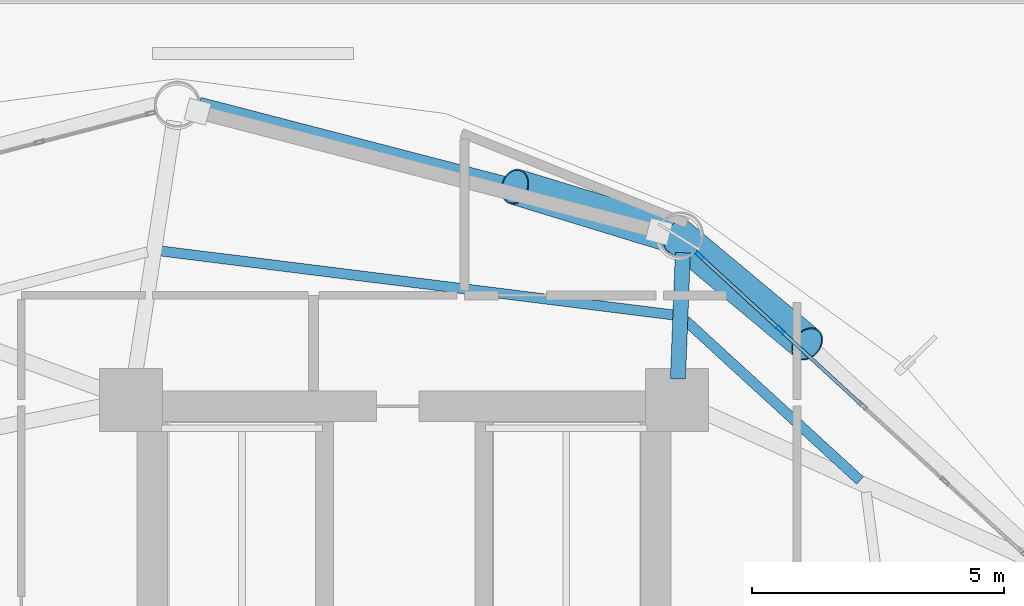
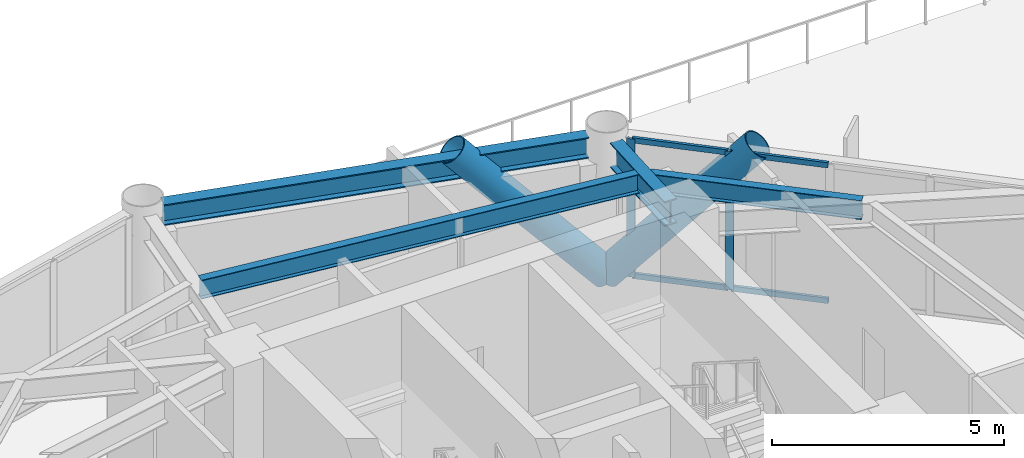
# One storey, part 17 of 24: 8 members, 4 beams, 1 element without a shape of its own.
"""IFC4 building model written with IfcOpenShell, lengths in metres."""

from ifc_helpers import new_model, si_unit, direction, frame, origin, origin_2d, place, context, subcontext, project, spatial, hollow_rectangle, hollow_circle, i_section, extrude, material, layer, layer_set, material_profile, profile_set, type_object, element, aggregate, save


model = new_model("IFC4")

# Units and contexts
model_context = context("Model", 3, precision=1e-05, world=origin(), true_north=direction((0.0, 1.0)))
body_context = subcontext(model_context, "Body", "Model", "MODEL_VIEW")
ifc_project = project(units=[si_unit("LENGTHUNIT", "METRE"), si_unit("AREAUNIT", "SQUARE_METRE"), si_unit("VOLUMEUNIT", "CUBIC_METRE"), si_unit("PLANEANGLEUNIT", "RADIAN"), si_unit("MASSUNIT", "GRAM", prefix="KILO")], contexts=[model_context])

# Site, building, storey
site_placement = place(None, origin())
site = spatial("IfcSite", under=ifc_project, at=site_placement, CompositionType="ELEMENT")
building_placement = place(site_placement, origin())
building = spatial("IfcBuilding", under=site, at=building_placement, Name="Varnakorn Sky Granary", CompositionType="ELEMENT")
storey_placement = place(building_placement, frame((0.0, 0.0, 27.60009765625)))
storey = spatial("IfcBuildingStorey", under=building, at=storey_placement, Name="L06", CompositionType="ELEMENT", Elevation=27.60009765625)

# Beams
ifc_material_1 = material(Name="Steel S355JR", Category="steel")
ifc_material_profile_1 = material_profile(ifc_material_1, i_section(OverallWidth=0.300048828125, OverallDepth=0.64990234375, WebThickness=0.01611328125, FlangeThickness=0.031005859375, at=origin_2d()), Name="HE 650 B")
ifc_profile_set_1 = profile_set([ifc_material_profile_1], Name="Steel S355JR")
beam_type_1 = type_object("IfcBeamType", Name="BM-RAD-Z1", PredefinedType="BEAM", material=ifc_profile_set_1)
beam_1_placement = place(storey_placement, frame((8.436279296875, 13.039794921875, 3.31494140625), z_axis=(0.039035009768, 0.999237843565, 0.0), x_axis=(-0.999237843565, 0.039035009768, 0.0)))
element("IfcBeam", 1, at=beam_1_placement, inside=storey, type_object=beam_type_1, Name="Radial Floor Girder RG03 L06", PredefinedType="BEAM", context=body_context, shape_type="SweptSolid", body=[
    extrude(i_section(OverallWidth=0.300048828125, OverallDepth=0.64990234375, WebThickness=0.01611328125, FlangeThickness=0.031005859375, at=origin_2d()), origin(), (0.0, 0.0, 1.0), 2.508056640625),
])
ifc_material_profile_2 = material_profile(ifc_material_1, i_section(OverallWidth=0.199951171875, OverallDepth=0.5, WebThickness=0.01025390625, FlangeThickness=0.01611328125, at=origin_2d()), Name="IPE 500")
ifc_profile_set_2 = profile_set([ifc_material_profile_2], Name="Steel S355JR")
beam_type_2 = type_object("IfcBeamType", Name="BM-SEC-Z1", PredefinedType="BEAM", material=ifc_profile_set_2)
beam_2_placement = place(storey_placement, frame((12.051513671875, 11.0244140625, 3.389892578125), z_axis=(-0.737205916379, 0.675668141069, 0.0), x_axis=(-0.675668141069, -0.737205916379, 0.0)))
element("IfcBeam", 2, at=beam_2_placement, inside=storey, type_object=beam_type_2, Name="Secondary Floor Chord Beam MSB02 L06", PredefinedType="BEAM", context=body_context, shape_type="SweptSolid", body=[
    extrude(i_section(OverallWidth=0.199951171875, OverallDepth=0.5, WebThickness=0.01025390625, FlangeThickness=0.01611328125, at=origin_2d()), origin(), (0.0, 0.0, 1.0), 4.697265625),
])
beam_3_placement = place(storey_placement, frame((8.346435546875, 14.310302734375, 3.389892578125), z_axis=(-0.992297289411, 0.12387933414, 0.0), x_axis=(-0.12387933414, -0.992297289411, 0.0)))
element("IfcBeam", 3, at=beam_3_placement, inside=storey, type_object=beam_type_2, Name="Secondary Floor Chord Beam MSB03 L06", PredefinedType="BEAM", context=body_context, shape_type="SweptSolid", body=[
    extrude(i_section(OverallWidth=0.199951171875, OverallDepth=0.5, WebThickness=0.01025390625, FlangeThickness=0.01611328125, at=origin_2d()), origin(), (0.0, 0.0, 1.0), 10.248046875),
])
ifc_material_profile_3 = material_profile(ifc_material_1, i_section(OverallWidth=0.300048828125, OverallDepth=0.550048828125, WebThickness=0.014892578125, FlangeThickness=0.029052734375, at=origin_2d()), Name="HE 550 B")
ifc_profile_set_3 = profile_set([ifc_material_profile_3], Name="Steel S355JR")
beam_type_3 = type_object("IfcBeamType", Name="BM-SPD-Z1", PredefinedType="SPANDREL", material=ifc_profile_set_3)
beam_4_placement = place(storey_placement, frame((8.123779296875, 16.0986328125, 3.364990234375), z_axis=(-0.967937681729, 0.251190454215, 0.0), x_axis=(-0.251190454215, -0.967937681729, 0.0)))
element("IfcBeam", 4, at=beam_4_placement, inside=storey, type_object=beam_type_3, Name="Perimeter Spandrel Ring Beam RB03 L06", PredefinedType="SPANDREL", context=body_context, shape_type="SweptSolid", body=[
    extrude(i_section(OverallWidth=0.300048828125, OverallDepth=0.550048828125, WebThickness=0.014892578125, FlangeThickness=0.029052734375, at=origin_2d()), origin(), (0.0, 0.0, 1.0), 9.500732421875),
])

# Curtain wall, members
ifc_material_2 = material(Name="Anodised Bronze Aluminium Alloy 6063-T6", Category="aluminium")
ifc_layer = layer(ifc_material_2, 0.18994140625, Name="Anodised Bronze Aluminium Alloy 6063-T6")
ifc_layer_set = layer_set([ifc_layer], Name="Anodised Bronze Aluminium Alloy 6063-T6")
curtain_wall_type = type_object("IfcCurtainWallType", Name="CW-FRM-1", PredefinedType="USERDEFINED", material=ifc_layer_set)
curtain_wall_placement = place(storey_placement, origin())
curtain_wall = element("IfcCurtainWall", 5, at=curtain_wall_placement, inside=storey, type_object=curtain_wall_type, Name="Unitised Curtain Wall CW3 CW-L06-B02", ObjectType="CURTAIN WALL", PredefinedType="USERDEFINED")
ifc_material_profile_4 = material_profile(ifc_material_2, hollow_rectangle(XDim=0.070068359375, YDim=0.18505859375, WallThickness=0.00390625, at=origin_2d()), Name="ALU MULL 70x185")
ifc_profile_set_4 = profile_set([ifc_material_profile_4], Name="Anodised Bronze Aluminium Alloy 6063-T6")
member_type_1 = type_object("IfcMemberType", Name="CW-FRM-1-MULL", PredefinedType="MULLION", material=ifc_profile_set_4)
member_1_placement = place(storey_placement, frame((8.86376953125, 15.487548828125, 0.0), z_axis=(0.0, 0.0, 1.0), x_axis=(0.676914362354, 0.7360617814, 0.0)))
member_1 = element("IfcMember", 6, at=member_1_placement, type_object=member_type_1, Name="CW3 mullion 1", PredefinedType="MULLION", context=body_context, shape_type="SweptSolid", body=[
    extrude(hollow_rectangle(XDim=0.070068359375, YDim=0.18505859375, WallThickness=0.00390625, at=origin_2d()), origin(), (0.0, 0.0, 1.0), 3.639892578125),
])
member_2_placement = place(storey_placement, frame((10.47021484375, 14.01025390625, 0.0), z_axis=(0.0, 0.0, 1.0), x_axis=(0.676914362354, 0.7360617814, 0.0)))
member_2 = element("IfcMember", 7, at=member_2_placement, type_object=member_type_1, Name="CW3 mullion 2", PredefinedType="MULLION", context=body_context, shape_type="SweptSolid", body=[
    extrude(hollow_rectangle(XDim=0.070068359375, YDim=0.18505859375, WallThickness=0.00390625, at=origin_2d()), origin(), (0.0, 0.0, 1.0), 3.639892578125),
])
ifc_material_profile_5 = material_profile(ifc_material_2, hollow_rectangle(XDim=0.070068359375, YDim=0.139892578125, WallThickness=0.00341796875, at=origin_2d()), Name="ALU TRAN 70x140")
ifc_profile_set_5 = profile_set([ifc_material_profile_5], Name="Anodised Bronze Aluminium Alloy 6063-T6")
member_type_2 = type_object("IfcMemberType", Name="CW-FRM-1-TRAN", PredefinedType="USERDEFINED", material=ifc_profile_set_5)
member_3_placement = place(storey_placement, frame((8.889404296875, 15.4638671875, 0.034912109375), z_axis=(0.736073807105, -0.676901285635, 0.0), x_axis=(0.676901285635, 0.736073807105, 0.0)))
member_3 = element("IfcMember", 8, at=member_3_placement, type_object=member_type_2, Name="CW3 transom 1.1", ObjectType="TRANSOM", PredefinedType="USERDEFINED", context=body_context, shape_type="SweptSolid", body=[
    extrude(hollow_rectangle(XDim=0.070068359375, YDim=0.139892578125, WallThickness=0.00341796875, at=origin_2d()), origin(), (0.0, 0.0, 1.0), 2.112548828125),
])
member_4_placement = place(storey_placement, frame((8.889404296875, 15.4638671875, 3.60498046875), z_axis=(0.736073807105, -0.676901285635, 0.0), x_axis=(0.676901285635, 0.736073807105, 0.0)))
member_4 = element("IfcMember", 9, at=member_4_placement, type_object=member_type_2, Name="CW3 transom 1.2", ObjectType="TRANSOM", PredefinedType="USERDEFINED", context=body_context, shape_type="SweptSolid", body=[
    extrude(hollow_rectangle(XDim=0.070068359375, YDim=0.139892578125, WallThickness=0.00341796875, at=origin_2d()), origin(), (0.0, 0.0, 1.0), 2.112548828125),
])
member_5_placement = place(storey_placement, frame((10.495849609375, 13.986572265625, 0.034912109375), z_axis=(0.736105481164, -0.676866841114, 0.0), x_axis=(0.676866841114, 0.736105481164, 0.0)))
member_5 = element("IfcMember", 10, at=member_5_placement, type_object=member_type_2, Name="CW3 transom 2.1", ObjectType="TRANSOM", PredefinedType="USERDEFINED", context=body_context, shape_type="SweptSolid", body=[
    extrude(hollow_rectangle(XDim=0.070068359375, YDim=0.139892578125, WallThickness=0.00341796875, at=origin_2d()), origin(), (0.0, 0.0, 1.0), 2.147216796875),
])
member_6_placement = place(storey_placement, frame((10.495849609375, 13.986572265625, 3.60498046875), z_axis=(0.736105481164, -0.676866841114, 0.0), x_axis=(0.676866841114, 0.736105481164, 0.0)))
member_6 = element("IfcMember", 11, at=member_6_placement, type_object=member_type_2, Name="CW3 transom 2.2", ObjectType="TRANSOM", PredefinedType="USERDEFINED", context=body_context, shape_type="SweptSolid", body=[
    extrude(hollow_rectangle(XDim=0.070068359375, YDim=0.139892578125, WallThickness=0.00341796875, at=origin_2d()), origin(), (0.0, 0.0, 1.0), 2.147216796875),
])
aggregate(curtain_wall, [member_1, member_2, member_3, member_4, member_5, member_6])

# Members
ifc_material_3 = material(Name="Steel S460M", Category="steel")
ifc_material_profile_6 = material_profile(ifc_material_3, hollow_circle(Radius=0.35546875, WallThickness=0.02490234375, at=origin_2d()), Name="CHS 711x25")
ifc_profile_set_6 = profile_set([ifc_material_profile_6], Name="Steel S460M")
member_type_3 = type_object("IfcMemberType", Name="MB-DIAG-T0", PredefinedType="BRACE", material=ifc_profile_set_6)
member_7_placement = place(storey_placement, frame((8.45751953125, 15.861328125, 0.0), z_axis=(0.505621896802, -0.422102912219, 0.752446429303), x_axis=(0.640857358835, 0.767659980478, 0.0)))
element("IfcMember", 12, at=member_7_placement, inside=storey, type_object=member_type_3, Name="Perimeter CHS Diagrid Brace DG02 L06", PredefinedType="BRACE", context=body_context, shape_type="SweptSolid", body=[
    extrude(hollow_circle(Radius=0.35546875, WallThickness=0.02490234375, at=origin_2d()), origin(), (0.0, 0.0, 1.0), 5.03662109375),
])
member_8_placement = place(storey_placement, frame((8.45751953125, 15.861328125, 0.0), z_axis=(-0.639166331841, 0.195453892164, 0.743817300335), x_axis=(-0.292427985995, -0.95628754724, 0.0)))
element("IfcMember", 13, at=member_8_placement, inside=storey, type_object=member_type_3, Name="Perimeter CHS Diagrid Brace DG03 L06", PredefinedType="BRACE", context=body_context, shape_type="SweptSolid", body=[
    extrude(hollow_circle(Radius=0.35546875, WallThickness=0.02490234375, at=origin_2d()), origin(), (0.0, 0.0, 1.0), 5.094970703125),
])

save(model, "model.ifc")
